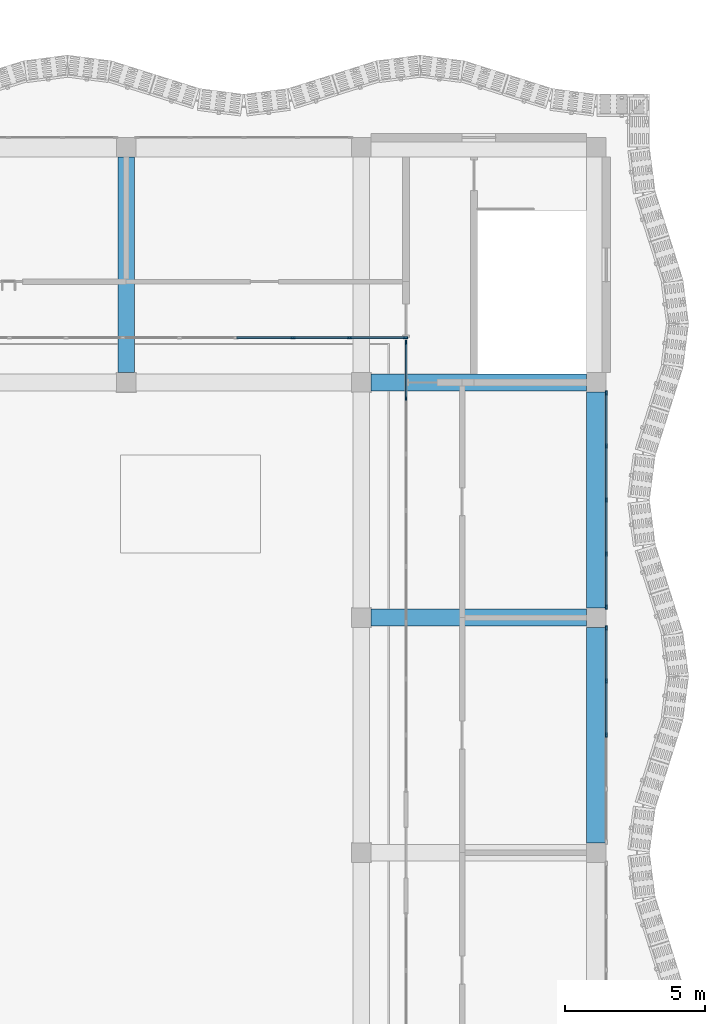
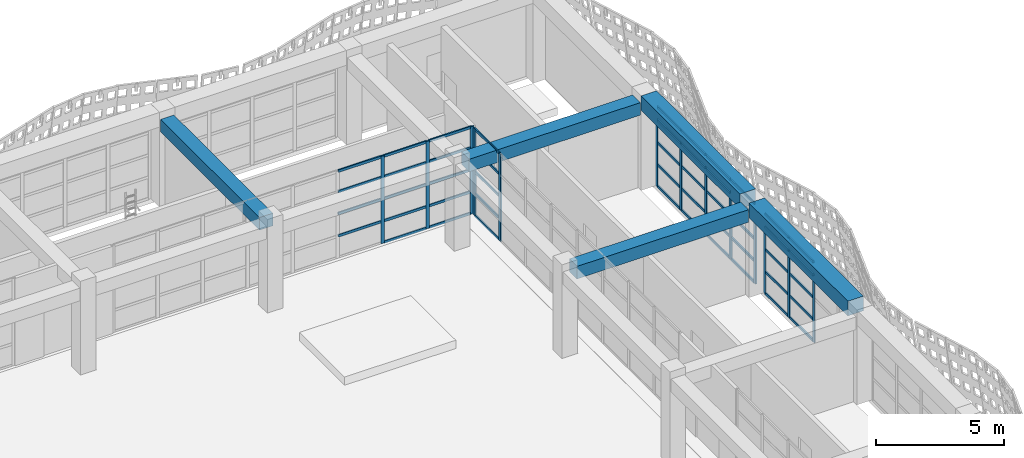
# One storey, part 13 of 85: 62 members, 5 beams, 4 elements without a shape of their own.
"""IFC4 building model written with IfcOpenShell, lengths in metres."""

from ifc_helpers import new_model, si_unit, direction, frame, origin, origin_2d, place, context, subcontext, project, spatial, rectangle, extrude, material, material_profile, profile_set, type_object, element, aggregate, save


model = new_model("IFC4")

# Units and contexts
model_context = context("Model", 3, precision=1e-05, world=origin(), true_north=direction((0.0, 1.0)))
body_context = subcontext(model_context, "Body", "Model", "MODEL_VIEW")
ifc_project = project(units=[si_unit("LENGTHUNIT", "METRE"), si_unit("AREAUNIT", "SQUARE_METRE"), si_unit("VOLUMEUNIT", "CUBIC_METRE"), si_unit("PLANEANGLEUNIT", "RADIAN"), si_unit("MASSUNIT", "GRAM", prefix="KILO")], contexts=[model_context])

# Site, building, storey
site_placement = place(None, origin())
site = spatial("IfcSite", under=ifc_project, at=site_placement, CompositionType="ELEMENT")
building_placement = place(site_placement, origin())
building = spatial("IfcBuilding", under=site, at=building_placement, Name="Rain Tree Exposition and Congress Centre", CompositionType="ELEMENT")
storey_placement = place(building_placement, frame((0.0, 0.0, 15.0)))
storey = spatial("IfcBuildingStorey", under=building, at=storey_placement, Name="L03", CompositionType="ELEMENT", Elevation=15.0)

# Beams
ifc_material_1 = material(Name="Precast concrete C50/60", Category="concrete")
ifc_material_profile_1 = material_profile(ifc_material_1, rectangle(XDim=0.60009765625, YDim=0.60009765625, at=origin_2d()), Name="RC 600x600")
ifc_profile_set_1 = profile_set([ifc_material_profile_1], Name="Precast concrete C50/60")
beam_type_1 = type_object("IfcBeamType", Name="Precast beam 600x600", PredefinedType="BEAM", material=ifc_profile_set_1)
for number, where, z_axis, x_axis, name in (
    (1, (42.35009765625, 33.60009765625, 3.85009765625), (1.0, 0.0, 0.0), (0.0, 1.0, 0.0), "wing/beam/L03/RF/047"),
    (2, (33.60009765625, 42.35009765625, 3.85009765625), (0.0, 1.0, 0.0), (-1.0, 0.0, 0.0), "wing/beam/L03/RF/048"),
    (3, (42.35009765625, 42.0, 3.85009765625), (1.0, 0.0, 0.0), (0.0, 1.0, 0.0), "wing/beam/L03/RF/059"),
):
    element("IfcBeam", number, at=place(storey_placement, frame(where, z_axis=z_axis, x_axis=x_axis)), inside=storey, type_object=beam_type_1, Name=name, PredefinedType="BEAM", context=body_context, shape_type="SweptSolid", body=[
        extrude(rectangle(XDim=0.60009765625, YDim=0.60009765625, at=origin_2d()), origin(), (0.0, 0.0, 1.0), 7.699951171875),
    ])
ifc_material_2 = material(Name="Precast concrete C50/60", Category="concrete")
ifc_material_profile_2 = material_profile(ifc_material_2, rectangle(XDim=0.699951171875, YDim=0.699951171875, at=origin_2d()), Name="RC 700x700")
ifc_profile_set_2 = profile_set([ifc_material_profile_2], Name="Precast concrete C50/60")
beam_type_2 = type_object("IfcBeamType", Name="Precast spandrel beam 700x700", PredefinedType="SPANDREL", material=ifc_profile_set_2)
for number, where, z_axis, x_axis, name in (
    (4, (50.39990234375, 25.550048828125, 4.14990234375), (0.0, 1.0, 0.0), (-1.0, 0.0, 0.0), "wing/beam/L03/RF/068"),
    (5, (50.39990234375, 33.949951171875, 4.14990234375), (0.0, 1.0, 0.0), (-1.0, 0.0, 0.0), "wing/beam/L03/RF/070"),
):
    element("IfcBeam", number, at=place(storey_placement, frame(where, z_axis=z_axis, x_axis=x_axis)), inside=storey, type_object=beam_type_2, Name=name, PredefinedType="SPANDREL", context=body_context, shape_type="SweptSolid", body=[
        extrude(rectangle(XDim=0.699951171875, YDim=0.699951171875, at=origin_2d()), origin(), (0.0, 0.0, 1.0), 7.699951171875),
    ])

# Curtain wall, members
ifc_material_3 = material(Name="Aluminium curtain wall", Category="aluminium")
curtain_wall_type = type_object("IfcCurtainWallType", Name="Wing curtain wall 1925", PredefinedType="NOTDEFINED", material=ifc_material_3)
curtain_wall_1_placement = place(storey_placement, origin())
curtain_wall_1 = element("IfcCurtainWall", 6, at=curtain_wall_1_placement, inside=storey, type_object=curtain_wall_type, Name="Curtain wall CWW414", PredefinedType="NOTDEFINED")
ifc_material_4 = material(Name="Aluminium", Category="aluminium")
ifc_material_profile_3 = material_profile(ifc_material_4, rectangle(XDim=0.06005859375, YDim=0.159912109375, at=origin_2d()), Name="Aluminium 60x160")
ifc_profile_set_3 = profile_set([ifc_material_profile_3], Name="Aluminium")
member_type_1 = type_object("IfcMemberType", Name="Wing mullion 60x160", PredefinedType="MULLION", material=ifc_profile_set_3)
member_1_placement = place(storey_placement, frame((50.75, 29.39990234375, 0.0), z_axis=(0.0, 0.0, 1.0), x_axis=(-1.0, 0.0, 0.0)))
member_1 = element("IfcMember", 7, at=member_1_placement, type_object=member_type_1, Name="CWW414 mullion 3", PredefinedType="MULLION", context=body_context, shape_type="SweptSolid", body=[
    extrude(rectangle(XDim=0.06005859375, YDim=0.159912109375, at=origin_2d()), origin(), (0.0, 0.0, 1.0), 3.800048828125),
])
member_2_placement = place(storey_placement, frame((50.75, 31.324951171875, 0.0), z_axis=(0.0, 0.0, 1.0), x_axis=(-1.0, 0.0, 0.0)))
member_2 = element("IfcMember", 8, at=member_2_placement, type_object=member_type_1, Name="CWW414 mullion 4", PredefinedType="MULLION", context=body_context, shape_type="SweptSolid", body=[
    extrude(rectangle(XDim=0.06005859375, YDim=0.159912109375, at=origin_2d()), origin(), (0.0, 0.0, 1.0), 3.800048828125),
])
member_3_placement = place(storey_placement, frame((50.75, 33.219970703125, 0.0), z_axis=(0.0, 0.0, 1.0), x_axis=(-1.0, 0.0, 0.0)))
member_3 = element("IfcMember", 9, at=member_3_placement, type_object=member_type_1, Name="CWW414 mullion 5", PredefinedType="MULLION", context=body_context, shape_type="SweptSolid", body=[
    extrude(rectangle(XDim=0.06005859375, YDim=0.159912109375, at=origin_2d()), origin(), (0.0, 0.0, 1.0), 3.800048828125),
])

curtain_wall_2_placement = place(storey_placement, origin())
curtain_wall_2 = element("IfcCurtainWall", 10, at=curtain_wall_2_placement, inside=storey, type_object=curtain_wall_type, Name="Curtain wall CWW415", PredefinedType="NOTDEFINED")
member_4_placement = place(storey_placement, frame((50.75, 33.97998046875, 0.0), z_axis=(0.0, 0.0, 1.0), x_axis=(-1.0, 0.0, 0.0)))
member_4 = element("IfcMember", 11, at=member_4_placement, type_object=member_type_1, Name="CWW415 mullion 1", PredefinedType="MULLION", context=body_context, shape_type="SweptSolid", body=[
    extrude(rectangle(XDim=0.06005859375, YDim=0.159912109375, at=origin_2d()), origin(), (0.0, 0.0, 1.0), 3.800048828125),
])
member_5_placement = place(storey_placement, frame((50.75, 35.875, 0.0), z_axis=(0.0, 0.0, 1.0), x_axis=(-1.0, 0.0, 0.0)))
member_5 = element("IfcMember", 12, at=member_5_placement, type_object=member_type_1, Name="CWW415 mullion 2", PredefinedType="MULLION", context=body_context, shape_type="SweptSolid", body=[
    extrude(rectangle(XDim=0.06005859375, YDim=0.159912109375, at=origin_2d()), origin(), (0.0, 0.0, 1.0), 3.800048828125),
])
member_6_placement = place(storey_placement, frame((50.75, 37.800048828125, 0.0), z_axis=(0.0, 0.0, 1.0), x_axis=(-1.0, 0.0, 0.0)))
member_6 = element("IfcMember", 13, at=member_6_placement, type_object=member_type_1, Name="CWW415 mullion 3", PredefinedType="MULLION", context=body_context, shape_type="SweptSolid", body=[
    extrude(rectangle(XDim=0.06005859375, YDim=0.159912109375, at=origin_2d()), origin(), (0.0, 0.0, 1.0), 3.800048828125),
])
member_7_placement = place(storey_placement, frame((50.75, 39.72509765625, 0.0), z_axis=(0.0, 0.0, 1.0), x_axis=(-1.0, 0.0, 0.0)))
member_7 = element("IfcMember", 14, at=member_7_placement, type_object=member_type_1, Name="CWW415 mullion 4", PredefinedType="MULLION", context=body_context, shape_type="SweptSolid", body=[
    extrude(rectangle(XDim=0.06005859375, YDim=0.159912109375, at=origin_2d()), origin(), (0.0, 0.0, 1.0), 3.800048828125),
])
member_8_placement = place(storey_placement, frame((50.75, 41.6201171875, 0.0), z_axis=(0.0, 0.0, 1.0), x_axis=(-1.0, 0.0, 0.0)))
member_8 = element("IfcMember", 15, at=member_8_placement, type_object=member_type_1, Name="CWW415 mullion 5", PredefinedType="MULLION", context=body_context, shape_type="SweptSolid", body=[
    extrude(rectangle(XDim=0.06005859375, YDim=0.159912109375, at=origin_2d()), origin(), (0.0, 0.0, 1.0), 3.800048828125),
])

curtain_wall_3_placement = place(storey_placement, origin())
curtain_wall_3 = element("IfcCurtainWall", 16, at=curtain_wall_3_placement, inside=storey, type_object=curtain_wall_type, Name="Curtain wall CWW504", PredefinedType="NOTDEFINED")
member_9_placement = place(storey_placement, frame((39.550048828125, 43.60009765625, 0.0), z_axis=(0.0, 0.0, 1.0), x_axis=(0.0, 1.0, 0.0)))
member_9 = element("IfcMember", 17, at=member_9_placement, type_object=member_type_1, Name="CWW504 mullion 7", PredefinedType="MULLION", context=body_context, shape_type="SweptSolid", body=[
    extrude(rectangle(XDim=0.06005859375, YDim=0.159912109375, at=origin_2d()), origin(), (0.0, 0.0, 1.0), 4.14990234375),
])
member_10_placement = place(storey_placement, frame((41.574951171875, 43.60009765625, 0.0), z_axis=(0.0, 0.0, 1.0), x_axis=(0.0, 1.0, 0.0)))
member_10 = element("IfcMember", 18, at=member_10_placement, type_object=member_type_1, Name="CWW504 mullion 8", PredefinedType="MULLION", context=body_context, shape_type="SweptSolid", body=[
    extrude(rectangle(XDim=0.06005859375, YDim=0.159912109375, at=origin_2d()), origin(), (0.0, 0.0, 1.0), 4.14990234375),
])
member_11_placement = place(storey_placement, frame((43.570068359375, 43.60009765625, 0.0), z_axis=(0.0, 0.0, 1.0), x_axis=(0.0, 1.0, 0.0)))
member_11 = element("IfcMember", 19, at=member_11_placement, type_object=member_type_1, Name="CWW504 mullion 9", PredefinedType="MULLION", context=body_context, shape_type="SweptSolid", body=[
    extrude(rectangle(XDim=0.06005859375, YDim=0.159912109375, at=origin_2d()), origin(), (0.0, 0.0, 1.0), 4.14990234375),
])

curtain_wall_4_placement = place(storey_placement, origin())
curtain_wall_4 = element("IfcCurtainWall", 20, at=curtain_wall_4_placement, inside=storey, type_object=curtain_wall_type, Name="Curtain wall CWW508", PredefinedType="NOTDEFINED")
member_12_placement = place(storey_placement, frame((43.60009765625, 41.44384765625, 0.0), z_axis=(0.0, 0.0, 1.0), x_axis=(-1.0, 0.0, 0.0)))
member_12 = element("IfcMember", 21, at=member_12_placement, type_object=member_type_1, Name="CWW508 mullion 8", PredefinedType="MULLION", context=body_context, shape_type="SweptSolid", body=[
    extrude(rectangle(XDim=0.06005859375, YDim=0.159912109375, at=origin_2d()), origin(), (0.0, 0.0, 1.0), 4.14990234375),
])
member_13_placement = place(storey_placement, frame((43.60009765625, 43.419921875, 0.0), z_axis=(0.0, 0.0, 1.0), x_axis=(-1.0, 0.0, 0.0)))
member_13 = element("IfcMember", 22, at=member_13_placement, type_object=member_type_1, Name="CWW508 mullion 9", PredefinedType="MULLION", context=body_context, shape_type="SweptSolid", body=[
    extrude(rectangle(XDim=0.06005859375, YDim=0.159912109375, at=origin_2d()), origin(), (0.0, 0.0, 1.0), 4.14990234375),
])

# Member
ifc_material_5 = material(Name="Aluminium", Category="aluminium")
ifc_material_profile_4 = material_profile(ifc_material_5, rectangle(XDim=0.06005859375, YDim=0.1201171875, at=origin_2d()), Name="Aluminium 60x120")
ifc_profile_set_4 = profile_set([ifc_material_profile_4], Name="Aluminium")
member_type_2 = type_object("IfcMemberType", Name="Wing transom 60x120", PredefinedType="USERDEFINED", material=ifc_profile_set_4)
member_14_placement = place(storey_placement, frame((50.75, 29.429931640625, 0.030029296875), z_axis=(0.0, 1.0, 0.0), x_axis=(-1.0, 0.0, 0.0)))
member_14 = element("IfcMember", 23, at=member_14_placement, type_object=member_type_2, Name="CWW414 transom 3.1", ObjectType="TRANSOM", PredefinedType="USERDEFINED", context=body_context, shape_type="SweptSolid", body=[
    extrude(rectangle(XDim=0.06005859375, YDim=0.1201171875, at=origin_2d()), origin(), (0.0, 0.0, 1.0), 1.864990234375),
])

member_15_placement = place(storey_placement, frame((50.75, 29.429931640625, 1.050048828125), z_axis=(0.0, 1.0, 0.0), x_axis=(-1.0, 0.0, 0.0)))
member_15 = element("IfcMember", 24, at=member_15_placement, type_object=member_type_2, Name="CWW414 transom 3.2", ObjectType="TRANSOM", PredefinedType="USERDEFINED", context=body_context, shape_type="SweptSolid", body=[
    extrude(rectangle(XDim=0.06005859375, YDim=0.1201171875, at=origin_2d()), origin(), (0.0, 0.0, 1.0), 1.864990234375),
])

member_16_placement = place(storey_placement, frame((50.75, 29.429931640625, 2.10009765625), z_axis=(0.0, 1.0, 0.0), x_axis=(-1.0, 0.0, 0.0)))
member_16 = element("IfcMember", 25, at=member_16_placement, type_object=member_type_2, Name="CWW414 transom 3.3", ObjectType="TRANSOM", PredefinedType="USERDEFINED", context=body_context, shape_type="SweptSolid", body=[
    extrude(rectangle(XDim=0.06005859375, YDim=0.1201171875, at=origin_2d()), origin(), (0.0, 0.0, 1.0), 1.864990234375),
])

member_17_placement = place(storey_placement, frame((50.75, 29.429931640625, 3.14990234375), z_axis=(0.0, 1.0, 0.0), x_axis=(-1.0, 0.0, 0.0)))
member_17 = element("IfcMember", 26, at=member_17_placement, type_object=member_type_2, Name="CWW414 transom 3.4", ObjectType="TRANSOM", PredefinedType="USERDEFINED", context=body_context, shape_type="SweptSolid", body=[
    extrude(rectangle(XDim=0.06005859375, YDim=0.1201171875, at=origin_2d()), origin(), (0.0, 0.0, 1.0), 1.864990234375),
])

member_18_placement = place(storey_placement, frame((50.75, 29.429931640625, 3.77001953125), z_axis=(0.0, 1.0, 0.0), x_axis=(-1.0, 0.0, 0.0)))
member_18 = element("IfcMember", 27, at=member_18_placement, type_object=member_type_2, Name="CWW414 transom 3.5", ObjectType="TRANSOM", PredefinedType="USERDEFINED", context=body_context, shape_type="SweptSolid", body=[
    extrude(rectangle(XDim=0.06005859375, YDim=0.1201171875, at=origin_2d()), origin(), (0.0, 0.0, 1.0), 1.864990234375),
])

member_19_placement = place(storey_placement, frame((50.75, 31.35498046875, 0.030029296875), z_axis=(0.0, 1.0, 0.0), x_axis=(-1.0, 0.0, 0.0)))
member_19 = element("IfcMember", 28, at=member_19_placement, type_object=member_type_2, Name="CWW414 transom 4.1", ObjectType="TRANSOM", PredefinedType="USERDEFINED", context=body_context, shape_type="SweptSolid", body=[
    extrude(rectangle(XDim=0.06005859375, YDim=0.1201171875, at=origin_2d()), origin(), (0.0, 0.0, 1.0), 1.8349609375),
])

member_20_placement = place(storey_placement, frame((50.75, 31.35498046875, 1.050048828125), z_axis=(0.0, 1.0, 0.0), x_axis=(-1.0, 0.0, 0.0)))
member_20 = element("IfcMember", 29, at=member_20_placement, type_object=member_type_2, Name="CWW414 transom 4.2", ObjectType="TRANSOM", PredefinedType="USERDEFINED", context=body_context, shape_type="SweptSolid", body=[
    extrude(rectangle(XDim=0.06005859375, YDim=0.1201171875, at=origin_2d()), origin(), (0.0, 0.0, 1.0), 1.8349609375),
])

member_21_placement = place(storey_placement, frame((50.75, 31.35498046875, 2.10009765625), z_axis=(0.0, 1.0, 0.0), x_axis=(-1.0, 0.0, 0.0)))
member_21 = element("IfcMember", 30, at=member_21_placement, type_object=member_type_2, Name="CWW414 transom 4.3", ObjectType="TRANSOM", PredefinedType="USERDEFINED", context=body_context, shape_type="SweptSolid", body=[
    extrude(rectangle(XDim=0.06005859375, YDim=0.1201171875, at=origin_2d()), origin(), (0.0, 0.0, 1.0), 1.8349609375),
])

member_22_placement = place(storey_placement, frame((50.75, 31.35498046875, 3.14990234375), z_axis=(0.0, 1.0, 0.0), x_axis=(-1.0, 0.0, 0.0)))
member_22 = element("IfcMember", 31, at=member_22_placement, type_object=member_type_2, Name="CWW414 transom 4.4", ObjectType="TRANSOM", PredefinedType="USERDEFINED", context=body_context, shape_type="SweptSolid", body=[
    extrude(rectangle(XDim=0.06005859375, YDim=0.1201171875, at=origin_2d()), origin(), (0.0, 0.0, 1.0), 1.8349609375),
])

member_23_placement = place(storey_placement, frame((50.75, 31.35498046875, 3.77001953125), z_axis=(0.0, 1.0, 0.0), x_axis=(-1.0, 0.0, 0.0)))
member_23 = element("IfcMember", 32, at=member_23_placement, type_object=member_type_2, Name="CWW414 transom 4.5", ObjectType="TRANSOM", PredefinedType="USERDEFINED", context=body_context, shape_type="SweptSolid", body=[
    extrude(rectangle(XDim=0.06005859375, YDim=0.1201171875, at=origin_2d()), origin(), (0.0, 0.0, 1.0), 1.8349609375),
])

aggregate(curtain_wall_1, [member_1, member_2, member_3, member_14, member_15, member_16, member_17, member_18, member_19, member_20, member_21, member_22, member_23])

member_24_placement = place(storey_placement, frame((50.75, 34.010009765625, 0.030029296875), z_axis=(0.0, 1.0, 0.0), x_axis=(-1.0, 0.0, 0.0)))
member_24 = element("IfcMember", 33, at=member_24_placement, type_object=member_type_2, Name="CWW415 transom 1.1", ObjectType="TRANSOM", PredefinedType="USERDEFINED", context=body_context, shape_type="SweptSolid", body=[
    extrude(rectangle(XDim=0.06005859375, YDim=0.1201171875, at=origin_2d()), origin(), (0.0, 0.0, 1.0), 1.8349609375),
])

member_25_placement = place(storey_placement, frame((50.75, 34.010009765625, 1.050048828125), z_axis=(0.0, 1.0, 0.0), x_axis=(-1.0, 0.0, 0.0)))
member_25 = element("IfcMember", 34, at=member_25_placement, type_object=member_type_2, Name="CWW415 transom 1.2", ObjectType="TRANSOM", PredefinedType="USERDEFINED", context=body_context, shape_type="SweptSolid", body=[
    extrude(rectangle(XDim=0.06005859375, YDim=0.1201171875, at=origin_2d()), origin(), (0.0, 0.0, 1.0), 1.8349609375),
])

member_26_placement = place(storey_placement, frame((50.75, 34.010009765625, 2.10009765625), z_axis=(0.0, 1.0, 0.0), x_axis=(-1.0, 0.0, 0.0)))
member_26 = element("IfcMember", 35, at=member_26_placement, type_object=member_type_2, Name="CWW415 transom 1.3", ObjectType="TRANSOM", PredefinedType="USERDEFINED", context=body_context, shape_type="SweptSolid", body=[
    extrude(rectangle(XDim=0.06005859375, YDim=0.1201171875, at=origin_2d()), origin(), (0.0, 0.0, 1.0), 1.8349609375),
])

member_27_placement = place(storey_placement, frame((50.75, 34.010009765625, 3.14990234375), z_axis=(0.0, 1.0, 0.0), x_axis=(-1.0, 0.0, 0.0)))
member_27 = element("IfcMember", 36, at=member_27_placement, type_object=member_type_2, Name="CWW415 transom 1.4", ObjectType="TRANSOM", PredefinedType="USERDEFINED", context=body_context, shape_type="SweptSolid", body=[
    extrude(rectangle(XDim=0.06005859375, YDim=0.1201171875, at=origin_2d()), origin(), (0.0, 0.0, 1.0), 1.8349609375),
])

member_28_placement = place(storey_placement, frame((50.75, 34.010009765625, 3.77001953125), z_axis=(0.0, 1.0, 0.0), x_axis=(-1.0, 0.0, 0.0)))
member_28 = element("IfcMember", 37, at=member_28_placement, type_object=member_type_2, Name="CWW415 transom 1.5", ObjectType="TRANSOM", PredefinedType="USERDEFINED", context=body_context, shape_type="SweptSolid", body=[
    extrude(rectangle(XDim=0.06005859375, YDim=0.1201171875, at=origin_2d()), origin(), (0.0, 0.0, 1.0), 1.8349609375),
])

member_29_placement = place(storey_placement, frame((50.75, 35.905029296875, 0.030029296875), z_axis=(0.0, 1.0, 0.0), x_axis=(-1.0, 0.0, 0.0)))
member_29 = element("IfcMember", 38, at=member_29_placement, type_object=member_type_2, Name="CWW415 transom 2.1", ObjectType="TRANSOM", PredefinedType="USERDEFINED", context=body_context, shape_type="SweptSolid", body=[
    extrude(rectangle(XDim=0.06005859375, YDim=0.1201171875, at=origin_2d()), origin(), (0.0, 0.0, 1.0), 1.864990234375),
])

member_30_placement = place(storey_placement, frame((50.75, 35.905029296875, 1.050048828125), z_axis=(0.0, 1.0, 0.0), x_axis=(-1.0, 0.0, 0.0)))
member_30 = element("IfcMember", 39, at=member_30_placement, type_object=member_type_2, Name="CWW415 transom 2.2", ObjectType="TRANSOM", PredefinedType="USERDEFINED", context=body_context, shape_type="SweptSolid", body=[
    extrude(rectangle(XDim=0.06005859375, YDim=0.1201171875, at=origin_2d()), origin(), (0.0, 0.0, 1.0), 1.864990234375),
])

member_31_placement = place(storey_placement, frame((50.75, 35.905029296875, 2.10009765625), z_axis=(0.0, 1.0, 0.0), x_axis=(-1.0, 0.0, 0.0)))
member_31 = element("IfcMember", 40, at=member_31_placement, type_object=member_type_2, Name="CWW415 transom 2.3", ObjectType="TRANSOM", PredefinedType="USERDEFINED", context=body_context, shape_type="SweptSolid", body=[
    extrude(rectangle(XDim=0.06005859375, YDim=0.1201171875, at=origin_2d()), origin(), (0.0, 0.0, 1.0), 1.864990234375),
])

member_32_placement = place(storey_placement, frame((50.75, 35.905029296875, 3.14990234375), z_axis=(0.0, 1.0, 0.0), x_axis=(-1.0, 0.0, 0.0)))
member_32 = element("IfcMember", 41, at=member_32_placement, type_object=member_type_2, Name="CWW415 transom 2.4", ObjectType="TRANSOM", PredefinedType="USERDEFINED", context=body_context, shape_type="SweptSolid", body=[
    extrude(rectangle(XDim=0.06005859375, YDim=0.1201171875, at=origin_2d()), origin(), (0.0, 0.0, 1.0), 1.864990234375),
])

member_33_placement = place(storey_placement, frame((50.75, 35.905029296875, 3.77001953125), z_axis=(0.0, 1.0, 0.0), x_axis=(-1.0, 0.0, 0.0)))
member_33 = element("IfcMember", 42, at=member_33_placement, type_object=member_type_2, Name="CWW415 transom 2.5", ObjectType="TRANSOM", PredefinedType="USERDEFINED", context=body_context, shape_type="SweptSolid", body=[
    extrude(rectangle(XDim=0.06005859375, YDim=0.1201171875, at=origin_2d()), origin(), (0.0, 0.0, 1.0), 1.864990234375),
])

member_34_placement = place(storey_placement, frame((50.75, 37.830078125, 0.030029296875), z_axis=(0.0, 1.0, 0.0), x_axis=(-1.0, 0.0, 0.0)))
member_34 = element("IfcMember", 43, at=member_34_placement, type_object=member_type_2, Name="CWW415 transom 3.1", ObjectType="TRANSOM", PredefinedType="USERDEFINED", context=body_context, shape_type="SweptSolid", body=[
    extrude(rectangle(XDim=0.06005859375, YDim=0.1201171875, at=origin_2d()), origin(), (0.0, 0.0, 1.0), 1.864990234375),
])

member_35_placement = place(storey_placement, frame((50.75, 37.830078125, 1.050048828125), z_axis=(0.0, 1.0, 0.0), x_axis=(-1.0, 0.0, 0.0)))
member_35 = element("IfcMember", 44, at=member_35_placement, type_object=member_type_2, Name="CWW415 transom 3.2", ObjectType="TRANSOM", PredefinedType="USERDEFINED", context=body_context, shape_type="SweptSolid", body=[
    extrude(rectangle(XDim=0.06005859375, YDim=0.1201171875, at=origin_2d()), origin(), (0.0, 0.0, 1.0), 1.864990234375),
])

member_36_placement = place(storey_placement, frame((50.75, 37.830078125, 2.10009765625), z_axis=(0.0, 1.0, 0.0), x_axis=(-1.0, 0.0, 0.0)))
member_36 = element("IfcMember", 45, at=member_36_placement, type_object=member_type_2, Name="CWW415 transom 3.3", ObjectType="TRANSOM", PredefinedType="USERDEFINED", context=body_context, shape_type="SweptSolid", body=[
    extrude(rectangle(XDim=0.06005859375, YDim=0.1201171875, at=origin_2d()), origin(), (0.0, 0.0, 1.0), 1.864990234375),
])

member_37_placement = place(storey_placement, frame((50.75, 37.830078125, 3.14990234375), z_axis=(0.0, 1.0, 0.0), x_axis=(-1.0, 0.0, 0.0)))
member_37 = element("IfcMember", 46, at=member_37_placement, type_object=member_type_2, Name="CWW415 transom 3.4", ObjectType="TRANSOM", PredefinedType="USERDEFINED", context=body_context, shape_type="SweptSolid", body=[
    extrude(rectangle(XDim=0.06005859375, YDim=0.1201171875, at=origin_2d()), origin(), (0.0, 0.0, 1.0), 1.864990234375),
])

member_38_placement = place(storey_placement, frame((50.75, 37.830078125, 3.77001953125), z_axis=(0.0, 1.0, 0.0), x_axis=(-1.0, 0.0, 0.0)))
member_38 = element("IfcMember", 47, at=member_38_placement, type_object=member_type_2, Name="CWW415 transom 3.5", ObjectType="TRANSOM", PredefinedType="USERDEFINED", context=body_context, shape_type="SweptSolid", body=[
    extrude(rectangle(XDim=0.06005859375, YDim=0.1201171875, at=origin_2d()), origin(), (0.0, 0.0, 1.0), 1.864990234375),
])

member_39_placement = place(storey_placement, frame((50.75, 39.7548828125, 0.030029296875), z_axis=(0.0, 1.0, 0.0), x_axis=(-1.0, 0.0, 0.0)))
member_39 = element("IfcMember", 48, at=member_39_placement, type_object=member_type_2, Name="CWW415 transom 4.1", ObjectType="TRANSOM", PredefinedType="USERDEFINED", context=body_context, shape_type="SweptSolid", body=[
    extrude(rectangle(XDim=0.06005859375, YDim=0.1201171875, at=origin_2d()), origin(), (0.0, 0.0, 1.0), 1.835205078125),
])

member_40_placement = place(storey_placement, frame((50.75, 39.7548828125, 1.050048828125), z_axis=(0.0, 1.0, 0.0), x_axis=(-1.0, 0.0, 0.0)))
member_40 = element("IfcMember", 49, at=member_40_placement, type_object=member_type_2, Name="CWW415 transom 4.2", ObjectType="TRANSOM", PredefinedType="USERDEFINED", context=body_context, shape_type="SweptSolid", body=[
    extrude(rectangle(XDim=0.06005859375, YDim=0.1201171875, at=origin_2d()), origin(), (0.0, 0.0, 1.0), 1.835205078125),
])

member_41_placement = place(storey_placement, frame((50.75, 39.7548828125, 2.10009765625), z_axis=(0.0, 1.0, 0.0), x_axis=(-1.0, 0.0, 0.0)))
member_41 = element("IfcMember", 50, at=member_41_placement, type_object=member_type_2, Name="CWW415 transom 4.3", ObjectType="TRANSOM", PredefinedType="USERDEFINED", context=body_context, shape_type="SweptSolid", body=[
    extrude(rectangle(XDim=0.06005859375, YDim=0.1201171875, at=origin_2d()), origin(), (0.0, 0.0, 1.0), 1.835205078125),
])

member_42_placement = place(storey_placement, frame((50.75, 39.7548828125, 3.14990234375), z_axis=(0.0, 1.0, 0.0), x_axis=(-1.0, 0.0, 0.0)))
member_42 = element("IfcMember", 51, at=member_42_placement, type_object=member_type_2, Name="CWW415 transom 4.4", ObjectType="TRANSOM", PredefinedType="USERDEFINED", context=body_context, shape_type="SweptSolid", body=[
    extrude(rectangle(XDim=0.06005859375, YDim=0.1201171875, at=origin_2d()), origin(), (0.0, 0.0, 1.0), 1.835205078125),
])

member_43_placement = place(storey_placement, frame((50.75, 39.7548828125, 3.77001953125), z_axis=(0.0, 1.0, 0.0), x_axis=(-1.0, 0.0, 0.0)))
member_43 = element("IfcMember", 52, at=member_43_placement, type_object=member_type_2, Name="CWW415 transom 4.5", ObjectType="TRANSOM", PredefinedType="USERDEFINED", context=body_context, shape_type="SweptSolid", body=[
    extrude(rectangle(XDim=0.06005859375, YDim=0.1201171875, at=origin_2d()), origin(), (0.0, 0.0, 1.0), 1.835205078125),
])

aggregate(curtain_wall_2, [member_4, member_5, member_6, member_7, member_8, member_24, member_25, member_26, member_27, member_28, member_29, member_30, member_31, member_32, member_33, member_34, member_35, member_36, member_37, member_38, member_39, member_40, member_41, member_42, member_43])

member_44_placement = place(storey_placement, frame((37.554931640625, 43.60009765625, 1.050048828125), z_axis=(1.0, 0.0, 0.0), x_axis=(0.0, 1.0, 0.0)))
member_44 = element("IfcMember", 53, at=member_44_placement, type_object=member_type_2, Name="CWW504 transom 6.2", ObjectType="TRANSOM", PredefinedType="USERDEFINED", context=body_context, shape_type="SweptSolid", body=[
    extrude(rectangle(XDim=0.06005859375, YDim=0.1201171875, at=origin_2d()), origin(), (0.0, 0.0, 1.0), 1.965087890625),
])

member_45_placement = place(storey_placement, frame((37.554931640625, 43.60009765625, 2.10009765625), z_axis=(1.0, 0.0, 0.0), x_axis=(0.0, 1.0, 0.0)))
member_45 = element("IfcMember", 54, at=member_45_placement, type_object=member_type_2, Name="CWW504 transom 6.3", ObjectType="TRANSOM", PredefinedType="USERDEFINED", context=body_context, shape_type="SweptSolid", body=[
    extrude(rectangle(XDim=0.06005859375, YDim=0.1201171875, at=origin_2d()), origin(), (0.0, 0.0, 1.0), 1.965087890625),
])

member_46_placement = place(storey_placement, frame((37.554931640625, 43.60009765625, 3.14990234375), z_axis=(1.0, 0.0, 0.0), x_axis=(0.0, 1.0, 0.0)))
member_46 = element("IfcMember", 55, at=member_46_placement, type_object=member_type_2, Name="CWW504 transom 6.4", ObjectType="TRANSOM", PredefinedType="USERDEFINED", context=body_context, shape_type="SweptSolid", body=[
    extrude(rectangle(XDim=0.06005859375, YDim=0.1201171875, at=origin_2d()), origin(), (0.0, 0.0, 1.0), 1.965087890625),
])

member_47_placement = place(storey_placement, frame((37.554931640625, 43.60009765625, 4.1201171875), z_axis=(1.0, 0.0, 0.0), x_axis=(0.0, 1.0, 0.0)))
member_47 = element("IfcMember", 56, at=member_47_placement, type_object=member_type_2, Name="CWW504 transom 6.5", ObjectType="TRANSOM", PredefinedType="USERDEFINED", context=body_context, shape_type="SweptSolid", body=[
    extrude(rectangle(XDim=0.06005859375, YDim=0.1201171875, at=origin_2d()), origin(), (0.0, 0.0, 1.0), 1.965087890625),
])

member_48_placement = place(storey_placement, frame((39.580078125, 43.60009765625, 0.030029296875), z_axis=(1.0, 0.0, 0.0), x_axis=(0.0, 1.0, 0.0)))
member_48 = element("IfcMember", 57, at=member_48_placement, type_object=member_type_2, Name="CWW504 transom 7.1", ObjectType="TRANSOM", PredefinedType="USERDEFINED", context=body_context, shape_type="SweptSolid", body=[
    extrude(rectangle(XDim=0.06005859375, YDim=0.1201171875, at=origin_2d()), origin(), (0.0, 0.0, 1.0), 1.96484375),
])

member_49_placement = place(storey_placement, frame((39.580078125, 43.60009765625, 1.050048828125), z_axis=(1.0, 0.0, 0.0), x_axis=(0.0, 1.0, 0.0)))
member_49 = element("IfcMember", 58, at=member_49_placement, type_object=member_type_2, Name="CWW504 transom 7.2", ObjectType="TRANSOM", PredefinedType="USERDEFINED", context=body_context, shape_type="SweptSolid", body=[
    extrude(rectangle(XDim=0.06005859375, YDim=0.1201171875, at=origin_2d()), origin(), (0.0, 0.0, 1.0), 1.96484375),
])

member_50_placement = place(storey_placement, frame((39.580078125, 43.60009765625, 2.10009765625), z_axis=(1.0, 0.0, 0.0), x_axis=(0.0, 1.0, 0.0)))
member_50 = element("IfcMember", 59, at=member_50_placement, type_object=member_type_2, Name="CWW504 transom 7.3", ObjectType="TRANSOM", PredefinedType="USERDEFINED", context=body_context, shape_type="SweptSolid", body=[
    extrude(rectangle(XDim=0.06005859375, YDim=0.1201171875, at=origin_2d()), origin(), (0.0, 0.0, 1.0), 1.96484375),
])

member_51_placement = place(storey_placement, frame((39.580078125, 43.60009765625, 3.14990234375), z_axis=(1.0, 0.0, 0.0), x_axis=(0.0, 1.0, 0.0)))
member_51 = element("IfcMember", 60, at=member_51_placement, type_object=member_type_2, Name="CWW504 transom 7.4", ObjectType="TRANSOM", PredefinedType="USERDEFINED", context=body_context, shape_type="SweptSolid", body=[
    extrude(rectangle(XDim=0.06005859375, YDim=0.1201171875, at=origin_2d()), origin(), (0.0, 0.0, 1.0), 1.96484375),
])

member_52_placement = place(storey_placement, frame((39.580078125, 43.60009765625, 4.1201171875), z_axis=(1.0, 0.0, 0.0), x_axis=(0.0, 1.0, 0.0)))
member_52 = element("IfcMember", 61, at=member_52_placement, type_object=member_type_2, Name="CWW504 transom 7.5", ObjectType="TRANSOM", PredefinedType="USERDEFINED", context=body_context, shape_type="SweptSolid", body=[
    extrude(rectangle(XDim=0.06005859375, YDim=0.1201171875, at=origin_2d()), origin(), (0.0, 0.0, 1.0), 1.96484375),
])

member_53_placement = place(storey_placement, frame((41.60498046875, 43.60009765625, 0.030029296875), z_axis=(1.0, 0.0, 0.0), x_axis=(0.0, 1.0, 0.0)))
member_53 = element("IfcMember", 62, at=member_53_placement, type_object=member_type_2, Name="CWW504 transom 8.1", ObjectType="TRANSOM", PredefinedType="USERDEFINED", context=body_context, shape_type="SweptSolid", body=[
    extrude(rectangle(XDim=0.06005859375, YDim=0.1201171875, at=origin_2d()), origin(), (0.0, 0.0, 1.0), 1.93505859375),
])

member_54_placement = place(storey_placement, frame((41.60498046875, 43.60009765625, 1.050048828125), z_axis=(1.0, 0.0, 0.0), x_axis=(0.0, 1.0, 0.0)))
member_54 = element("IfcMember", 63, at=member_54_placement, type_object=member_type_2, Name="CWW504 transom 8.2", ObjectType="TRANSOM", PredefinedType="USERDEFINED", context=body_context, shape_type="SweptSolid", body=[
    extrude(rectangle(XDim=0.06005859375, YDim=0.1201171875, at=origin_2d()), origin(), (0.0, 0.0, 1.0), 1.93505859375),
])

member_55_placement = place(storey_placement, frame((41.60498046875, 43.60009765625, 2.10009765625), z_axis=(1.0, 0.0, 0.0), x_axis=(0.0, 1.0, 0.0)))
member_55 = element("IfcMember", 64, at=member_55_placement, type_object=member_type_2, Name="CWW504 transom 8.3", ObjectType="TRANSOM", PredefinedType="USERDEFINED", context=body_context, shape_type="SweptSolid", body=[
    extrude(rectangle(XDim=0.06005859375, YDim=0.1201171875, at=origin_2d()), origin(), (0.0, 0.0, 1.0), 1.93505859375),
])

member_56_placement = place(storey_placement, frame((41.60498046875, 43.60009765625, 3.14990234375), z_axis=(1.0, 0.0, 0.0), x_axis=(0.0, 1.0, 0.0)))
member_56 = element("IfcMember", 65, at=member_56_placement, type_object=member_type_2, Name="CWW504 transom 8.4", ObjectType="TRANSOM", PredefinedType="USERDEFINED", context=body_context, shape_type="SweptSolid", body=[
    extrude(rectangle(XDim=0.06005859375, YDim=0.1201171875, at=origin_2d()), origin(), (0.0, 0.0, 1.0), 1.93505859375),
])

member_57_placement = place(storey_placement, frame((41.60498046875, 43.60009765625, 4.1201171875), z_axis=(1.0, 0.0, 0.0), x_axis=(0.0, 1.0, 0.0)))
member_57 = element("IfcMember", 66, at=member_57_placement, type_object=member_type_2, Name="CWW504 transom 8.5", ObjectType="TRANSOM", PredefinedType="USERDEFINED", context=body_context, shape_type="SweptSolid", body=[
    extrude(rectangle(XDim=0.06005859375, YDim=0.1201171875, at=origin_2d()), origin(), (0.0, 0.0, 1.0), 1.93505859375),
])

aggregate(curtain_wall_3, [member_9, member_10, member_11, member_44, member_45, member_46, member_47, member_48, member_49, member_50, member_51, member_52, member_53, member_54, member_55, member_56, member_57])

member_58_placement = place(storey_placement, frame((43.60009765625, 41.4736328125, 0.030029296875), z_axis=(0.0, 1.0, 0.0), x_axis=(-1.0, 0.0, 0.0)))
member_58 = element("IfcMember", 67, at=member_58_placement, type_object=member_type_2, Name="CWW508 transom 8.1", ObjectType="TRANSOM", PredefinedType="USERDEFINED", context=body_context, shape_type="SweptSolid", body=[
    extrude(rectangle(XDim=0.06005859375, YDim=0.1201171875, at=origin_2d()), origin(), (0.0, 0.0, 1.0), 1.916259765625),
])

member_59_placement = place(storey_placement, frame((43.60009765625, 41.4736328125, 1.050048828125), z_axis=(0.0, 1.0, 0.0), x_axis=(-1.0, 0.0, 0.0)))
member_59 = element("IfcMember", 68, at=member_59_placement, type_object=member_type_2, Name="CWW508 transom 8.2", ObjectType="TRANSOM", PredefinedType="USERDEFINED", context=body_context, shape_type="SweptSolid", body=[
    extrude(rectangle(XDim=0.06005859375, YDim=0.1201171875, at=origin_2d()), origin(), (0.0, 0.0, 1.0), 1.916259765625),
])

member_60_placement = place(storey_placement, frame((43.60009765625, 41.4736328125, 2.10009765625), z_axis=(0.0, 1.0, 0.0), x_axis=(-1.0, 0.0, 0.0)))
member_60 = element("IfcMember", 69, at=member_60_placement, type_object=member_type_2, Name="CWW508 transom 8.3", ObjectType="TRANSOM", PredefinedType="USERDEFINED", context=body_context, shape_type="SweptSolid", body=[
    extrude(rectangle(XDim=0.06005859375, YDim=0.1201171875, at=origin_2d()), origin(), (0.0, 0.0, 1.0), 1.916259765625),
])

member_61_placement = place(storey_placement, frame((43.60009765625, 41.4736328125, 3.14990234375), z_axis=(0.0, 1.0, 0.0), x_axis=(-1.0, 0.0, 0.0)))
member_61 = element("IfcMember", 70, at=member_61_placement, type_object=member_type_2, Name="CWW508 transom 8.4", ObjectType="TRANSOM", PredefinedType="USERDEFINED", context=body_context, shape_type="SweptSolid", body=[
    extrude(rectangle(XDim=0.06005859375, YDim=0.1201171875, at=origin_2d()), origin(), (0.0, 0.0, 1.0), 1.916259765625),
])

member_62_placement = place(storey_placement, frame((43.60009765625, 41.4736328125, 4.1201171875), z_axis=(0.0, 1.0, 0.0), x_axis=(-1.0, 0.0, 0.0)))
member_62 = element("IfcMember", 71, at=member_62_placement, type_object=member_type_2, Name="CWW508 transom 8.5", ObjectType="TRANSOM", PredefinedType="USERDEFINED", context=body_context, shape_type="SweptSolid", body=[
    extrude(rectangle(XDim=0.06005859375, YDim=0.1201171875, at=origin_2d()), origin(), (0.0, 0.0, 1.0), 1.916259765625),
])

aggregate(curtain_wall_4, [member_12, member_13, member_58, member_59, member_60, member_61, member_62])

save(model, "model.ifc")
